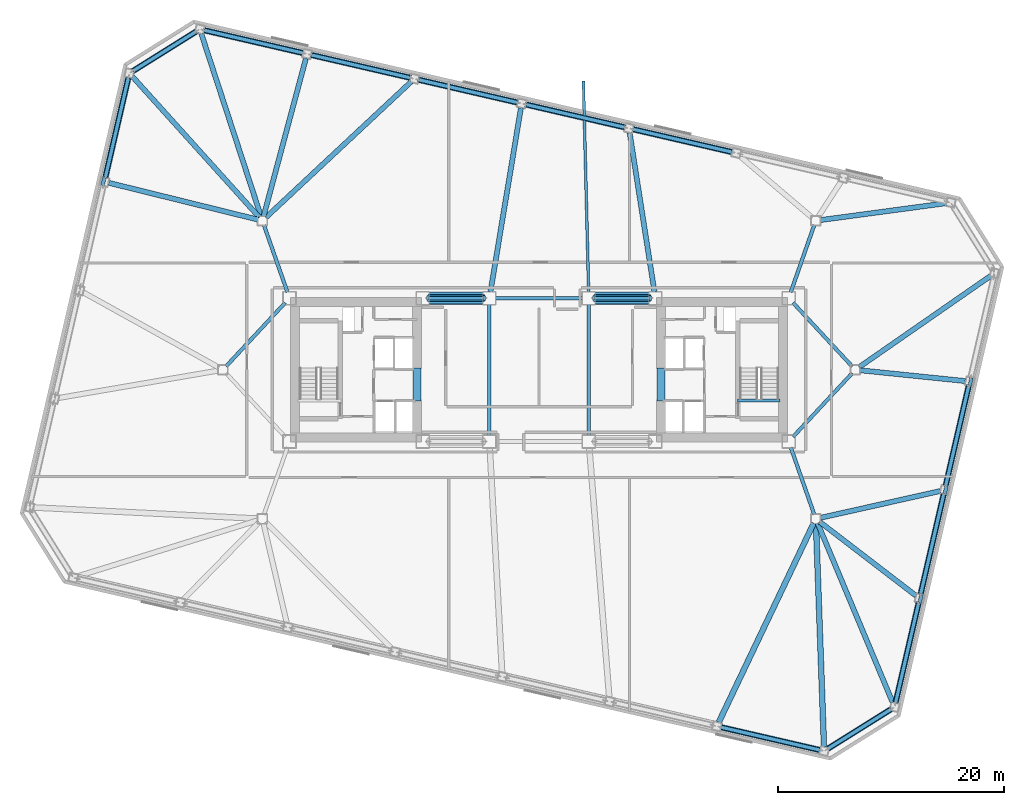
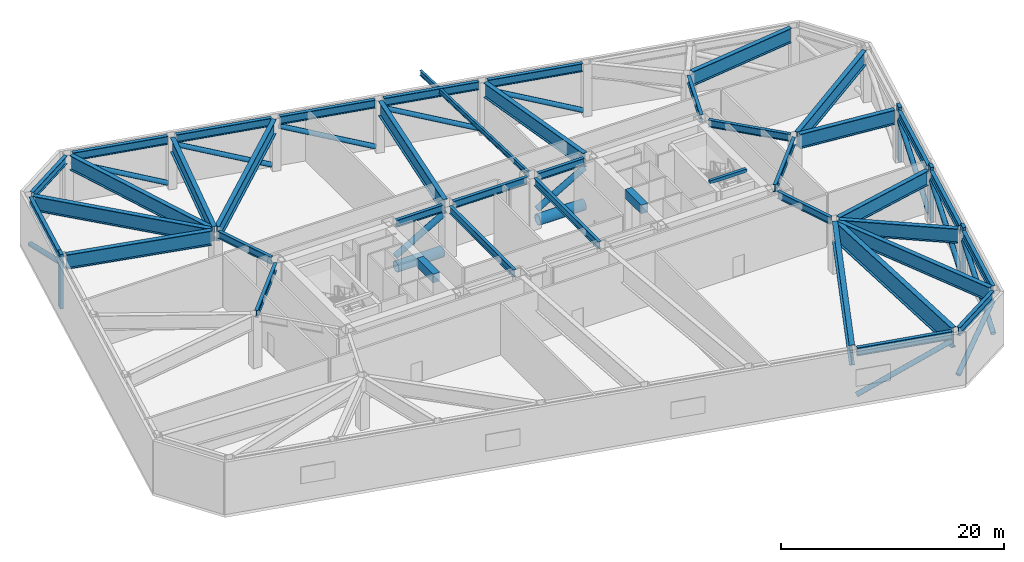
# One storey, part 2 of 15: 42 beams, 20 members.
"""IFC4 building model written with IfcOpenShell, lengths in metres."""

from ifc_helpers import new_model, si_unit, direction, frame, origin, origin_2d, place, context, subcontext, project, spatial, rectangle, hollow_circle, i_section, extrude, material, material_profile, profile_set, type_object, element, save


model = new_model("IFC4")

# Units and contexts
model_context = context("Model", 3, precision=1e-05, world=origin(), true_north=direction((0.0, 1.0)))
body_context = subcontext(model_context, "Body", "Model", "MODEL_VIEW")
ifc_project = project(units=[si_unit("LENGTHUNIT", "METRE"), si_unit("AREAUNIT", "SQUARE_METRE"), si_unit("VOLUMEUNIT", "CUBIC_METRE"), si_unit("PLANEANGLEUNIT", "RADIAN"), si_unit("MASSUNIT", "GRAM", prefix="KILO")], contexts=[model_context])

# Site, building, storey
site_placement = place(None, origin())
site = spatial("IfcSite", under=ifc_project, at=site_placement, CompositionType="ELEMENT")
building_placement = place(site_placement, origin())
building = spatial("IfcBuilding", under=site, at=building_placement, Name="Tavrogorsk Clinical Tower", CompositionType="ELEMENT")
storey_placement = place(building_placement, frame((0.0, 0.0, 33.39990234375)))
storey = spatial("IfcBuildingStorey", under=building, at=storey_placement, Name="L06", CompositionType="ELEMENT", Elevation=33.39990234375)

# Beams
ifc_material_1 = material(Name="Concrete B80", Category="concrete")
ifc_material_profile_1 = material_profile(ifc_material_1, rectangle(XDim=0.699951171875, YDim=0.949951171875, at=origin_2d()), Name="RC-CB-700x950")
ifc_profile_set_1 = profile_set([ifc_material_profile_1], Name="Concrete B80")
beam_type_1 = type_object("IfcBeamType", Name="CouplingBeam_RC700x950", PredefinedType="LINTEL", material=ifc_profile_set_1)
for number, where, z_axis, x_axis, name in (
    (1, (-10.800048828125, -2.75, 5.26513671875), (0.0, 1.0, 0.0), (-1.0, 0.0, 0.0), "L06 Core West Coupling Beam"),
    (2, (10.800048828125, -2.75, 5.26513671875), (0.0, 1.0, 0.0), (-1.0, 0.0, 0.0), "L06 Core East Coupling Beam"),
):
    element("IfcBeam", number, at=place(storey_placement, frame(where, z_axis=z_axis, x_axis=x_axis)), inside=storey, type_object=beam_type_1, Name=name, PredefinedType="LINTEL", context=body_context, shape_type="SweptSolid", body=[
        extrude(rectangle(XDim=0.699951171875, YDim=0.949951171875, at=origin_2d()), origin(), (0.0, 0.0, 1.0), 2.89990234375),
    ])

# Members
ifc_material_2 = material(Name="Structural steel S440", Category="steel")
ifc_material_profile_2 = material_profile(ifc_material_2, hollow_circle(Radius=0.25390625, WallThickness=0.02001953125, at=origin_2d()), Name="CHS-508x20")
ifc_profile_set_2 = profile_set([ifc_material_profile_2], Name="Structural steel S440")
member_type_1 = type_object("IfcMemberType", Name="ExoBrace_CHS508", PredefinedType="BRACE", material=ifc_profile_set_2)
member_1_placement = place(storey_placement, frame((16.102783203125, -31.647216796875, 0.519287109375), z_axis=(0.886730449481, -0.204715501483, 0.414488447868), x_axis=(0.224948599198, 0.974370631597, 0.0)))
element("IfcMember", 3, at=member_1_placement, inside=storey, type_object=member_type_1, Name="L06 Exoskeleton Belt Diagonal S7-S8", PredefinedType="BRACE", context=body_context, shape_type="SweptSolid", body=[
    extrude(hollow_circle(Radius=0.25390625, WallThickness=0.02001953125, at=origin_2d()), origin(), (0.0, 0.0, 1.0), 9.89599609375),
])
member_2_placement = place(storey_placement, frame((25.535888671875, -33.571533203125, 0.56103515625), z_axis=(0.725993006991, 0.453659268925, 0.516843710921), x_axis=(-0.529926395884, 0.848043639765, 0.0)))
element("IfcMember", 4, at=member_2_placement, inside=storey, type_object=member_type_1, Name="L06 Exoskeleton Belt Diagonal S8-E1", PredefinedType="BRACE", context=body_context, shape_type="SweptSolid", body=[
    extrude(hollow_circle(Radius=0.25390625, WallThickness=0.02001953125, at=origin_2d()), origin(), (0.0, 0.0, 1.0), 7.774169921875),
])
for number, where, z_axis, x_axis, name in (
    (5, (31.559814453125, -29.497314453125, 0.517578125), (0.205127102983, 0.888444554848, 0.410596084471), (-0.974366815739, 0.224965127047, 0.0), "L06 Exoskeleton Belt Diagonal E1-E2"),
    (6, (33.77783203125, -19.889892578125, 0.517578125), (0.205127102983, 0.888444554848, 0.410596084471), (-0.974366815739, 0.224965127047, 0.0), "L06 Exoskeleton Belt Diagonal E2-E3"),
    (7, (35.995849609375, -10.28271484375, 0.517578125), (0.205127102983, 0.888444554848, 0.410596084471), (-0.974366815739, 0.224965127047, 0.0), "L06 Exoskeleton Belt Diagonal E3-E4"),
):
    element("IfcMember", number, at=place(storey_placement, frame(where, z_axis=z_axis, x_axis=x_axis)), inside=storey, type_object=member_type_1, Name=name, PredefinedType="BRACE", context=body_context, shape_type="SweptSolid", body=[
        extrude(hollow_circle(Radius=0.25390625, WallThickness=0.02001953125, at=origin_2d()), origin(), (0.0, 0.0, 1.0), 9.99755859375),
    ])
member_3_placement = place(storey_placement, frame((17.092041015625, 19.275390625, 0.519287109375), z_axis=(-0.886730449481, 0.204715501483, 0.414488447868), x_axis=(-0.224948599198, -0.974370631597, 0.0)))
element("IfcMember", 8, at=member_3_placement, inside=storey, type_object=member_type_1, Name="L06 Exoskeleton Belt Diagonal N3-N4", PredefinedType="BRACE", context=body_context, shape_type="SweptSolid", body=[
    extrude(hollow_circle(Radius=0.25390625, WallThickness=0.02001953125, at=origin_2d()), origin(), (0.0, 0.0, 1.0), 9.89599609375),
])
member_4_placement = place(storey_placement, frame((7.593505859375, 21.46826171875, 0.519287109375), z_axis=(-0.886731243177, 0.204734659112, 0.414477287353), x_axis=(-0.224968393736, -0.974366061509, 0.0)))
element("IfcMember", 9, at=member_4_placement, inside=storey, type_object=member_type_1, Name="L06 Exoskeleton Belt Diagonal N4-N5", PredefinedType="BRACE", context=body_context, shape_type="SweptSolid", body=[
    extrude(hollow_circle(Radius=0.25390625, WallThickness=0.02001953125, at=origin_2d()), origin(), (0.0, 0.0, 1.0), 9.896240234375),
])
for number, where, z_axis, x_axis, name in (
    (10, (-1.9052734375, 23.661376953125, 0.519287109375), (-0.886730449481, 0.204715501483, 0.414488447868), (-0.224948599198, -0.974370631597, 0.0), "L06 Exoskeleton Belt Diagonal N5-N6"),
    (11, (-11.404052734375, 25.854248046875, 0.519287109375), (-0.886730449481, 0.204715501483, 0.414488447868), (-0.224948599198, -0.974370631597, 0.0), "L06 Exoskeleton Belt Diagonal N6-N7"),
    (12, (-20.90283203125, 28.047119140625, 0.519287109375), (-0.886730449481, 0.204715501483, 0.414488447868), (-0.224948599198, -0.974370631597, 0.0), "L06 Exoskeleton Belt Diagonal N7-N8"),
):
    element("IfcMember", number, at=place(storey_placement, frame(where, z_axis=z_axis, x_axis=x_axis)), inside=storey, type_object=member_type_1, Name=name, PredefinedType="BRACE", context=body_context, shape_type="SweptSolid", body=[
        extrude(hollow_circle(Radius=0.25390625, WallThickness=0.02001953125, at=origin_2d()), origin(), (0.0, 0.0, 1.0), 9.89599609375),
    ])
member_5_placement = place(storey_placement, frame((-30.3359375, 29.971435546875, 0.56103515625), z_axis=(-0.726003349804, -0.453634327706, 0.516851074101), x_axis=(0.529900013319, -0.848060125159, 0.0)))
element("IfcMember", 13, at=member_5_placement, inside=storey, type_object=member_type_1, Name="L06 Exoskeleton Belt Diagonal N8-W1", PredefinedType="BRACE", context=body_context, shape_type="SweptSolid", body=[
    extrude(hollow_circle(Radius=0.25390625, WallThickness=0.02001953125, at=origin_2d()), origin(), (0.0, 0.0, 1.0), 7.774169921875),
])
member_6_placement = place(storey_placement, frame((-36.35986328125, 25.897216796875, 0.517578125), z_axis=(-0.205103710433, -0.888449004997, 0.410598141114), x_axis=(0.974372685922, -0.22493970065, 0.0)))
element("IfcMember", 14, at=member_6_placement, inside=storey, type_object=member_type_1, Name="L06 Exoskeleton Belt Diagonal W1-W2", PredefinedType="BRACE", context=body_context, shape_type="SweptSolid", body=[
    extrude(hollow_circle(Radius=0.25390625, WallThickness=0.02001953125, at=origin_2d()), origin(), (0.0, 0.0, 1.0), 9.99755859375),
])
ifc_material_3 = material(Name="Precast concrete B45 with limestone cladding", Category="masonry")
ifc_material_profile_3 = material_profile(ifc_material_3, rectangle(XDim=0.320068359375, YDim=0.719970703125, at=origin_2d()), Name="LIMESTONE-FIN-320x720")
ifc_profile_set_3 = profile_set([ifc_material_profile_3], Name="Precast concrete B45 with limestone cladding")
member_type_2 = type_object("IfcMemberType", Name="LimestonePleatFin_320x720", PredefinedType="USERDEFINED", material=ifc_profile_set_3)
for number, where, z_axis, x_axis, name in (
    (15, (33.772216796875, -20.2705078125, 0.0), (0.0, 0.0, 1.0), (0.974370064785, -0.224951054344, 0.0), "L06 E Pleated Stone Fin 1"),
    (16, (35.990234375, -10.6630859375, 0.0), (0.0, 0.0, 1.0), (0.974370064785, -0.224951054344, 0.0), "L06 E Pleated Stone Fin 2"),
    (17, (38.208251953125, -1.055908203125, 0.0), (0.0, 0.0, 1.0), (0.974370064785, -0.224951054344, 0.0), "L06 E Pleated Stone Fin 3"),
    (18, (-38.572265625, 16.67041015625, 0.0), (0.0, 0.0, 1.0), (0.974370064785, -0.224951054344, 0.0), "L06 W Pleated Stone Fin 1"),
):
    element("IfcMember", number, at=place(storey_placement, frame(where, z_axis=z_axis, x_axis=x_axis)), inside=storey, type_object=member_type_2, Name=name, ObjectType="FIN", PredefinedType="USERDEFINED", context=body_context, shape_type="SweptSolid", body=[
        extrude(rectangle(XDim=0.320068359375, YDim=0.719970703125, at=origin_2d()), origin(), (0.0, 0.0, 1.0), 6.0),
    ])
ifc_material_4 = material(Name="Structural steel S440", Category="steel")
ifc_material_profile_4 = material_profile(ifc_material_4, hollow_circle(Radius=0.550048828125, WallThickness=0.0400390625, at=origin_2d()), Name="CHS-1100x40")
ifc_profile_set_4 = profile_set([ifc_material_profile_4], Name="Structural steel S440")
member_type_3 = type_object("IfcMemberType", Name="OutriggerChord_CHS1100", PredefinedType="CHORD", material=ifc_profile_set_4)
for number, where, z_axis, x_axis, name in (
    (19, (-9.739990234375, 6.35009765625, 0.580078125), (1.0, 0.0, 0.0), (0.0, 1.0, 0.0), "L06 Outrigger Bottom Chord 02"),
    (20, (4.9599609375, 6.35009765625, 0.580078125), (1.0, 0.0, 0.0), (0.0, 1.0, 0.0), "L06 Outrigger Bottom Chord 04"),
):
    element("IfcMember", number, at=place(storey_placement, frame(where, z_axis=z_axis, x_axis=x_axis)), inside=storey, type_object=member_type_3, Name=name, PredefinedType="CHORD", context=body_context, shape_type="SweptSolid", body=[
        extrude(hollow_circle(Radius=0.550048828125, WallThickness=0.0400390625, at=origin_2d()), origin(), (0.0, 0.0, 1.0), 4.780029296875),
    ])
ifc_material_5 = material(Name="Structural steel S440", Category="steel")
ifc_material_profile_5 = material_profile(ifc_material_5, hollow_circle(Radius=0.304931640625, WallThickness=0.02490234375, at=origin_2d()), Name="CHS-610x25")
ifc_profile_set_5 = profile_set([ifc_material_profile_5], Name="Structural steel S440")
member_type_4 = type_object("IfcMemberType", Name="OutriggerDiag_CHS610", PredefinedType="BRACE", material=ifc_profile_set_5)
for number, where, z_axis, x_axis, name in (
    (21, (-9.815185546875, 6.35009765625, 1.76025390625), (0.865794908079, 0.0, 0.50039901793), (0.0, 1.0, 0.0), "L06 Outrigger Diagonal 02"),
    (22, (4.884765625, 6.35009765625, 1.76025390625), (0.865794908079, 0.0, 0.50039901793), (0.0, 1.0, 0.0), "L06 Outrigger Diagonal 04"),
):
    element("IfcMember", number, at=place(storey_placement, frame(where, z_axis=z_axis, x_axis=x_axis)), inside=storey, type_object=member_type_4, Name=name, PredefinedType="BRACE", context=body_context, shape_type="SweptSolid", body=[
        extrude(hollow_circle(Radius=0.304931640625, WallThickness=0.02490234375, at=origin_2d()), origin(), (0.0, 0.0, 1.0), 5.694580078125),
    ])

# Beams
ifc_material_6 = material(Name="Structural steel S390", Category="steel")
ifc_material_profile_6 = material_profile(ifc_material_6, i_section(OverallWidth=0.320068359375, OverallDepth=0.800048828125, WebThickness=0.02001953125, FlangeThickness=0.033935546875, at=origin_2d()), Name="B-800x320x20x34")
ifc_profile_set_6 = profile_set([ifc_material_profile_6], Name="Structural steel S390")
beam_type_2 = type_object("IfcBeamType", Name="PrimaryGirder_B800", PredefinedType="USERDEFINED", material=ifc_profile_set_6)
beam_1_placement = place(storey_placement, frame((-9.739990234375, 6.35009765625, 5.340087890625), z_axis=(1.0, 0.0, 0.0), x_axis=(0.0, 1.0, 0.0)))
element("IfcBeam", 23, at=beam_1_placement, inside=storey, type_object=beam_type_2, Name="L06 Primary Spine Girder MG-02", ObjectType="GIRDER", PredefinedType="USERDEFINED", context=body_context, shape_type="SweptSolid", body=[
    extrude(i_section(OverallWidth=0.320068359375, OverallDepth=0.800048828125, WebThickness=0.02001953125, FlangeThickness=0.033935546875, at=origin_2d()), origin(), (0.0, 0.0, 1.0), 4.780029296875),
])
beam_2_placement = place(storey_placement, frame((-3.840087890625, 6.35009765625, 5.340087890625), z_axis=(1.0, 0.0, 0.0), x_axis=(0.0, 1.0, 0.0)))
element("IfcBeam", 24, at=beam_2_placement, inside=storey, type_object=beam_type_2, Name="L06 Primary Spine Girder MG-04", ObjectType="GIRDER", PredefinedType="USERDEFINED", context=body_context, shape_type="SweptSolid", body=[
    extrude(i_section(OverallWidth=0.320068359375, OverallDepth=0.800048828125, WebThickness=0.02001953125, FlangeThickness=0.033935546875, at=origin_2d()), origin(), (0.0, 0.0, 1.0), 7.68017578125),
])
beam_3_placement = place(storey_placement, frame((4.9599609375, 6.35009765625, 5.340087890625), z_axis=(1.0, 0.0, 0.0), x_axis=(0.0, 1.0, 0.0)))
element("IfcBeam", 25, at=beam_3_placement, inside=storey, type_object=beam_type_2, Name="L06 Primary Spine Girder MG-06", ObjectType="GIRDER", PredefinedType="USERDEFINED", context=body_context, shape_type="SweptSolid", body=[
    extrude(i_section(OverallWidth=0.320068359375, OverallDepth=0.800048828125, WebThickness=0.02001953125, FlangeThickness=0.033935546875, at=origin_2d()), origin(), (0.0, 0.0, 1.0), 4.780029296875),
])
for number, where, z_axis, x_axis, name in (
    (26, (-4.39990234375, -5.7900390625, 5.340087890625), (0.0, 1.0, 0.0), (-1.0, 0.0, 0.0), "L06 Primary Spine Girder MG-07"),
    (27, (4.39990234375, -5.7900390625, 5.340087890625), (0.0, 1.0, 0.0), (-1.0, 0.0, 0.0), "L06 Primary Spine Girder MG-08"),
):
    element("IfcBeam", number, at=place(storey_placement, frame(where, z_axis=z_axis, x_axis=x_axis)), inside=storey, type_object=beam_type_2, Name=name, ObjectType="GIRDER", PredefinedType="USERDEFINED", context=body_context, shape_type="SweptSolid", body=[
        extrude(i_section(OverallWidth=0.320068359375, OverallDepth=0.800048828125, WebThickness=0.02001953125, FlangeThickness=0.033935546875, at=origin_2d()), origin(), (0.0, 0.0, 1.0), 11.580078125),
    ])
for number, where, z_axis, x_axis, name in (
    (28, (24.364501953125, -12.81298828125, 5.340087890625), (-0.330668611543, 0.943746930771, 0.0), (-0.943746930771, -0.330668611543, 0.0), "L06 Spine Link Girder OPG-2"),
    (29, (-24.364501953125, 12.81298828125, 5.340087890625), (0.330668611543, -0.943746930771, 0.0), (0.943746930771, 0.330668611543, 0.0), "L06 Spine Link Girder OPG-3"),
    (30, (24.364501953125, 12.81298828125, 5.340087890625), (-0.330668611543, -0.943746930771, 0.0), (0.943746930771, -0.330668611543, 0.0), "L06 Spine Link Girder OPG-4"),
):
    element("IfcBeam", number, at=place(storey_placement, frame(where, z_axis=z_axis, x_axis=x_axis)), inside=storey, type_object=beam_type_2, Name=name, ObjectType="GIRDER", PredefinedType="USERDEFINED", context=body_context, shape_type="SweptSolid", body=[
        extrude(i_section(OverallWidth=0.320068359375, OverallDepth=0.800048828125, WebThickness=0.02001953125, FlangeThickness=0.033935546875, at=origin_2d()), origin(), (0.0, 0.0, 1.0), 6.288330078125),
    ])
for number, where, z_axis, x_axis, name in (
    (31, (-27.720947265625, 0.30029296875, 5.340087890625), (0.680671250221, 0.732589004233, 0.0), (-0.732589004233, 0.680671250221, 0.0), "L06 Spine Link Girder OPG-6"),
    (32, (27.720947265625, -0.30029296875, 5.340087890625), (-0.680671250221, -0.732589004233, 0.0), (0.732589004233, -0.680671250221, 0.0), "L06 Spine Link Girder OPG-7"),
    (33, (27.720947265625, 0.30029296875, 5.340087890625), (-0.680671250221, 0.732589004233, 0.0), (-0.732589004233, -0.680671250221, 0.0), "L06 Spine Link Girder OPG-8"),
):
    element("IfcBeam", number, at=place(storey_placement, frame(where, z_axis=z_axis, x_axis=x_axis)), inside=storey, type_object=beam_type_2, Name=name, ObjectType="GIRDER", PredefinedType="USERDEFINED", context=body_context, shape_type="SweptSolid", body=[
        extrude(i_section(OverallWidth=0.320068359375, OverallDepth=0.800048828125, WebThickness=0.02001953125, FlangeThickness=0.033935546875, at=origin_2d()), origin(), (0.0, 0.0, 1.0), 7.697998046875),
    ])
ifc_material_7 = material(Name="Structural steel S390", Category="steel")
ifc_material_profile_7 = material_profile(ifc_material_7, i_section(OverallWidth=0.239990234375, OverallDepth=0.550048828125, WebThickness=0.013916015625, FlangeThickness=0.02197265625, at=origin_2d()), Name="B-550x240x14x22")
ifc_profile_set_7 = profile_set([ifc_material_profile_7], Name="Structural steel S390")
beam_type_3 = type_object("IfcBeamType", Name="SpandrelBeam_B550", PredefinedType="SPANDREL", material=ifc_profile_set_7)
beam_4_placement = place(storey_placement, frame((4.385986328125, 6.909912109375, 5.445068359375), z_axis=(-0.024890288203, 0.999690188785, 0.0), x_axis=(-0.999690188785, -0.024890288203, 0.0)))
element("IfcBeam", 34, at=beam_4_placement, inside=storey, type_object=beam_type_3, Name="L07 Spiral Terrace Cantilever Beam 2", PredefinedType="SPANDREL", context=body_context, shape_type="SweptSolid", body=[
    extrude(i_section(OverallWidth=0.239990234375, OverallDepth=0.550048828125, WebThickness=0.013916015625, FlangeThickness=0.02197265625, at=origin_2d()), origin(), (0.0, 0.0, 1.0), 18.67578125),
])
ifc_material_8 = material(Name="Concrete B60", Category="concrete")
ifc_material_profile_8 = material_profile(ifc_material_8, rectangle(XDim=0.300048828125, YDim=0.35009765625, at=origin_2d()), Name="RC-SHB-300x350")
ifc_profile_set_8 = profile_set([ifc_material_profile_8], Name="Concrete B60")
beam_type_4 = type_object("IfcBeamType", Name="StairHeaderBeam_RC300x350", PredefinedType="BEAM", material=ifc_profile_set_8)
beam_5_placement = place(storey_placement, frame((17.550048828125, -2.719970703125, 5.8251953125), z_axis=(1.0, 0.0, 0.0), x_axis=(0.0, 1.0, 0.0)))
element("IfcBeam", 35, at=beam_5_placement, inside=storey, type_object=beam_type_4, Name="L07 ST-E Landing Header Beam", PredefinedType="BEAM", context=body_context, shape_type="SweptSolid", body=[
    extrude(rectangle(XDim=0.300048828125, YDim=0.35009765625, at=origin_2d()), origin(), (0.0, 0.0, 1.0), 3.800048828125),
])
ifc_material_9 = material(Name="Structural steel S440", Category="steel")
ifc_material_profile_9 = material_profile(ifc_material_9, i_section(OverallWidth=0.449951171875, OverallDepth=1.60009765625, WebThickness=0.031982421875, FlangeThickness=0.050048828125, at=origin_2d()), Name="DK-1600x450x32x50")
ifc_profile_set_9 = profile_set([ifc_material_profile_9], Name="Structural steel S440")
beam_type_5 = type_object("IfcBeamType", Name="TransferGirder_DK1600", PredefinedType="USERDEFINED", material=ifc_profile_set_9)
beam_6_placement = place(storey_placement, frame((24.90625, 13.254638671875, 4.940185546875), z_axis=(0.991091561022, 0.133182272357, 0.0), x_axis=(-0.133182272357, 0.991091561022, 0.0)))
element("IfcBeam", 36, at=beam_6_placement, inside=storey, type_object=beam_type_5, Name="L06 Radial Floor Beam N1", ObjectType="GIRDER", PredefinedType="USERDEFINED", context=body_context, shape_type="SweptSolid", body=[
    extrude(i_section(OverallWidth=0.449951171875, OverallDepth=1.60009765625, WebThickness=0.031982421875, FlangeThickness=0.050048828125, at=origin_2d()), origin(), (0.0, 0.0, 1.0), 11.24072265625),
])
beam_7_placement = place(storey_placement, frame((10.213623046875, 6.9033203125, 4.940185546875), z_axis=(-0.154089917001, 0.988056829073, 0.0), x_axis=(-0.988056829073, -0.154089917001, 0.0)))
element("IfcBeam", 37, at=beam_7_placement, inside=storey, type_object=beam_type_5, Name="L06 Radial Floor Beam N4", ObjectType="GIRDER", PredefinedType="USERDEFINED", context=body_context, shape_type="SweptSolid", body=[
    extrude(i_section(OverallWidth=0.449951171875, OverallDepth=1.60009765625, WebThickness=0.031982421875, FlangeThickness=0.050048828125, at=origin_2d()), origin(), (0.0, 0.0, 1.0), 14.24853515625),
])
beam_8_placement = place(storey_placement, frame((-4.308349609375, 6.90234375, 4.940185546875), z_axis=(0.163563683006, 0.986532777763, 0.0), x_axis=(-0.986532777763, 0.163563683006, 0.0)))
element("IfcBeam", 38, at=beam_8_placement, inside=storey, type_object=beam_type_5, Name="L06 Radial Floor Beam N5", ObjectType="GIRDER", PredefinedType="USERDEFINED", context=body_context, shape_type="SweptSolid", body=[
    extrude(i_section(OverallWidth=0.449951171875, OverallDepth=1.60009765625, WebThickness=0.031982421875, FlangeThickness=0.050048828125, at=origin_2d()), origin(), (0.0, 0.0, 1.0), 16.4951171875),
])
beam_9_placement = place(storey_placement, frame((-24.200439453125, 13.47998046875, 4.940185546875), z_axis=(0.730781163302, 0.682611816015, 0.0), x_axis=(-0.682611816015, 0.730781163302, 0.0)))
element("IfcBeam", 39, at=beam_9_placement, inside=storey, type_object=beam_type_5, Name="L06 Radial Floor Beam N6", ObjectType="GIRDER", PredefinedType="USERDEFINED", context=body_context, shape_type="SweptSolid", body=[
    extrude(i_section(OverallWidth=0.449951171875, OverallDepth=1.60009765625, WebThickness=0.031982421875, FlangeThickness=0.050048828125, at=origin_2d()), origin(), (0.0, 0.0, 1.0), 17.597412109375),
])
beam_10_placement = place(storey_placement, frame((-24.393798828125, 13.595947265625, 4.940185546875), z_axis=(0.25900262632, 0.965876617151, 0.0), x_axis=(-0.965876617151, 0.25900262632, 0.0)))
element("IfcBeam", 40, at=beam_10_placement, inside=storey, type_object=beam_type_5, Name="L06 Radial Floor Beam N7", ObjectType="GIRDER", PredefinedType="USERDEFINED", context=body_context, shape_type="SweptSolid", body=[
    extrude(i_section(OverallWidth=0.449951171875, OverallDepth=1.60009765625, WebThickness=0.031982421875, FlangeThickness=0.050048828125, at=origin_2d()), origin(), (0.0, 0.0, 1.0), 14.46728515625),
])
beam_11_placement = place(storey_placement, frame((-24.62744140625, 13.58984375, 4.940185546875), z_axis=(-0.310546210819, 0.950558283824, 0.0), x_axis=(-0.950558283824, -0.310546210819, 0.0)))
element("IfcBeam", 41, at=beam_11_placement, inside=storey, type_object=beam_type_5, Name="L06 Radial Floor Beam N8", ObjectType="GIRDER", PredefinedType="USERDEFINED", context=body_context, shape_type="SweptSolid", body=[
    extrude(i_section(OverallWidth=0.449951171875, OverallDepth=1.60009765625, WebThickness=0.031982421875, FlangeThickness=0.050048828125, at=origin_2d()), origin(), (0.0, 0.0, 1.0), 17.0205078125),
])
beam_12_placement = place(storey_placement, frame((24.658447265625, -13.578125, 4.940185546875), z_axis=(0.386243430459, -0.922396884441, 0.0), x_axis=(0.922396884441, 0.386243430459, 0.0)))
element("IfcBeam", 42, at=beam_12_placement, inside=storey, type_object=beam_type_5, Name="L06 Radial Floor Beam E1", ObjectType="GIRDER", PredefinedType="USERDEFINED", context=body_context, shape_type="SweptSolid", body=[
    extrude(i_section(OverallWidth=0.449951171875, OverallDepth=1.60009765625, WebThickness=0.031982421875, FlangeThickness=0.050048828125, at=origin_2d()), origin(), (0.0, 0.0, 1.0), 17.243408203125),
])
beam_13_placement = place(storey_placement, frame((24.825439453125, -13.449462890625, 4.940185546875), z_axis=(0.7934457884, -0.608640929342, 0.0), x_axis=(0.608640929342, 0.7934457884, 0.0)))
element("IfcBeam", 43, at=beam_13_placement, inside=storey, type_object=beam_type_5, Name="L06 Radial Floor Beam E2", ObjectType="GIRDER", PredefinedType="USERDEFINED", context=body_context, shape_type="SweptSolid", body=[
    extrude(i_section(OverallWidth=0.449951171875, OverallDepth=1.60009765625, WebThickness=0.031982421875, FlangeThickness=0.050048828125, at=origin_2d()), origin(), (0.0, 0.0, 1.0), 10.769287109375),
])
beam_14_placement = place(storey_placement, frame((24.900146484375, -13.1103515625, 4.940185546875), z_axis=(0.975844140255, 0.218467878484, 0.0), x_axis=(-0.218467878484, 0.975844140255, 0.0)))
element("IfcBeam", 44, at=beam_14_placement, inside=storey, type_object=beam_type_5, Name="L06 Radial Floor Beam E3", ObjectType="GIRDER", PredefinedType="USERDEFINED", context=body_context, shape_type="SweptSolid", body=[
    extrude(i_section(OverallWidth=0.449951171875, OverallDepth=1.60009765625, WebThickness=0.031982421875, FlangeThickness=0.050048828125, at=origin_2d()), origin(), (0.0, 0.0, 1.0), 10.876708984375),
])
beam_15_placement = place(storey_placement, frame((28.407958984375, -0.041748046875, 4.940185546875), z_axis=(0.994791610226, -0.101929643501, 0.0), x_axis=(0.101929643501, 0.994791610226, 0.0)))
element("IfcBeam", 45, at=beam_15_placement, inside=storey, type_object=beam_type_5, Name="L06 Radial Floor Beam E4", ObjectType="GIRDER", PredefinedType="USERDEFINED", context=body_context, shape_type="SweptSolid", body=[
    extrude(i_section(OverallWidth=0.449951171875, OverallDepth=1.60009765625, WebThickness=0.031982421875, FlangeThickness=0.050048828125, at=origin_2d()), origin(), (0.0, 0.0, 1.0), 9.365234375),
])
beam_16_placement = place(storey_placement, frame((28.3369140625, 0.233642578125, 4.940185546875), z_axis=(0.82154295725, 0.570146620961, 0.0), x_axis=(-0.570146620961, 0.82154295725, 0.0)))
element("IfcBeam", 46, at=beam_16_placement, inside=storey, type_object=beam_type_5, Name="L06 Radial Floor Beam E5", ObjectType="GIRDER", PredefinedType="USERDEFINED", context=body_context, shape_type="SweptSolid", body=[
    extrude(i_section(OverallWidth=0.449951171875, OverallDepth=1.60009765625, WebThickness=0.031982421875, FlangeThickness=0.050048828125, at=origin_2d()), origin(), (0.0, 0.0, 1.0), 14.212646484375),
])
beam_17_placement = place(storey_placement, frame((-24.774658203125, 13.50439453125, 4.940185546875), z_axis=(-0.669660294237, 0.742667550337, 0.0), x_axis=(-0.742667550337, -0.669660294237, 0.0)))
element("IfcBeam", 47, at=beam_17_placement, inside=storey, type_object=beam_type_5, Name="L06 Radial Floor Beam W1", ObjectType="GIRDER", PredefinedType="USERDEFINED", context=body_context, shape_type="SweptSolid", body=[
    extrude(i_section(OverallWidth=0.449951171875, OverallDepth=1.60009765625, WebThickness=0.031982421875, FlangeThickness=0.050048828125, at=origin_2d()), origin(), (0.0, 0.0, 1.0), 16.76708984375),
])
beam_18_placement = place(storey_placement, frame((-24.89794921875, 13.298095703125, 4.940185546875), z_axis=(-0.970889910259, 0.23952616174, 0.0), x_axis=(-0.23952616174, -0.970889910259, 0.0)))
element("IfcBeam", 48, at=beam_18_placement, inside=storey, type_object=beam_type_5, Name="L06 Radial Floor Beam W2", ObjectType="GIRDER", PredefinedType="USERDEFINED", context=body_context, shape_type="SweptSolid", body=[
    extrude(i_section(OverallWidth=0.449951171875, OverallDepth=1.60009765625, WebThickness=0.031982421875, FlangeThickness=0.050048828125, at=origin_2d()), origin(), (0.0, 0.0, 1.0), 13.595947265625),
])
ifc_material_10 = material(Name="Structural steel S440", Category="steel")
ifc_material_profile_10 = material_profile(ifc_material_10, i_section(OverallWidth=0.5, OverallDepth=2.199951171875, WebThickness=0.035888671875, FlangeThickness=0.054931640625, at=origin_2d()), Name="DK-2200x500x36x55")
ifc_profile_set_10 = profile_set([ifc_material_profile_10], Name="Structural steel S440")
beam_type_6 = type_object("IfcBeamType", Name="TransferGirder_DK2200", PredefinedType="USERDEFINED", material=ifc_profile_set_10)
beam_19_placement = place(storey_placement, frame((24.323486328125, -13.570068359375, 4.64013671875), z_axis=(-0.430503237889, -0.90258903282, 0.0), x_axis=(0.90258903282, -0.430503237889, 0.0)))
element("IfcBeam", 49, at=beam_19_placement, inside=storey, type_object=beam_type_6, Name="L06 Radial Floor Beam S7", ObjectType="GIRDER", PredefinedType="USERDEFINED", context=body_context, shape_type="SweptSolid", body=[
    extrude(i_section(OverallWidth=0.5, OverallDepth=2.199951171875, WebThickness=0.035888671875, FlangeThickness=0.054931640625, at=origin_2d()), origin(), (0.0, 0.0, 1.0), 19.527587890625),
])
beam_20_placement = place(storey_placement, frame((24.5146484375, -13.609619140625, 4.64013671875), z_axis=(0.035968399295, -0.999352927775, 0.0), x_axis=(0.999352927775, 0.035968399295, 0.0)))
element("IfcBeam", 50, at=beam_20_placement, inside=storey, type_object=beam_type_6, Name="L06 Radial Floor Beam S8", ObjectType="GIRDER", PredefinedType="USERDEFINED", context=body_context, shape_type="SweptSolid", body=[
    extrude(i_section(OverallWidth=0.5, OverallDepth=2.199951171875, WebThickness=0.035888671875, FlangeThickness=0.054931640625, at=origin_2d()), origin(), (0.0, 0.0, 1.0), 19.751953125),
])
ifc_material_11 = material(Name="Structural steel S440", Category="steel")
ifc_material_profile_11 = material_profile(ifc_material_11, i_section(OverallWidth=0.360107421875, OverallDepth=0.89990234375, WebThickness=0.02392578125, FlangeThickness=0.0400390625, at=origin_2d()), Name="DK-900x360x24x40")
ifc_profile_set_11 = profile_set([ifc_material_profile_11], Name="Structural steel S440")
beam_type_7 = type_object("IfcBeamType", Name="TransferGirder_DK900", PredefinedType="USERDEFINED", material=ifc_profile_set_11)
beam_21_placement = place(storey_placement, frame((16.138427734375, -31.655517578125, 5.2900390625), z_axis=(0.974372766602, -0.224939351168, 0.0), x_axis=(0.224939351168, 0.974372766602, 0.0)))
element("IfcBeam", 51, at=beam_21_placement, inside=storey, type_object=beam_type_7, Name="L06 Perimeter Spandrel S7-S8", ObjectType="GIRDER", PredefinedType="USERDEFINED", context=body_context, shape_type="SweptSolid", body=[
    extrude(i_section(OverallWidth=0.360107421875, OverallDepth=0.89990234375, WebThickness=0.02392578125, FlangeThickness=0.0400390625, at=origin_2d()), origin(), (0.0, 0.0, 1.0), 8.9326171875),
])
beam_22_placement = place(storey_placement, frame((25.585693359375, -33.540283203125, 5.2900390625), z_axis=(0.848061235793, 0.529898235839, 0.0), x_axis=(-0.529898235839, 0.848061235793, 0.0)))
element("IfcBeam", 52, at=beam_22_placement, inside=storey, type_object=beam_type_7, Name="L06 Perimeter Spandrel S8-E1", ObjectType="GIRDER", PredefinedType="USERDEFINED", context=body_context, shape_type="SweptSolid", body=[
    extrude(i_section(OverallWidth=0.360107421875, OverallDepth=0.89990234375, WebThickness=0.02392578125, FlangeThickness=0.0400390625, at=origin_2d()), origin(), (0.0, 0.0, 1.0), 6.537841796875),
])
beam_23_placement = place(storey_placement, frame((31.56787109375, -29.462158203125, 5.2900390625), z_axis=(0.224971881043, 0.974365256328, 0.0), x_axis=(-0.974365256328, 0.224971881043, 0.0)))
element("IfcBeam", 53, at=beam_23_placement, inside=storey, type_object=beam_type_7, Name="L06 Perimeter Spandrel E1-E2", ObjectType="GIRDER", PredefinedType="USERDEFINED", context=body_context, shape_type="SweptSolid", body=[
    extrude(i_section(OverallWidth=0.360107421875, OverallDepth=0.89990234375, WebThickness=0.02392578125, FlangeThickness=0.0400390625, at=origin_2d()), origin(), (0.0, 0.0, 1.0), 9.044189453125),
])
for number, where, z_axis, x_axis, name in (
    (54, (33.785888671875, -19.85498046875, 5.2900390625), (0.224946252597, 0.974371173343, 0.0), (-0.974371173343, 0.224946252597, 0.0), "L06 Perimeter Spandrel E2-E3"),
    (55, (36.00390625, -10.24755859375, 5.2900390625), (0.224946252597, 0.974371173343, 0.0), (-0.974371173343, 0.224946252597, 0.0), "L06 Perimeter Spandrel E3-E4"),
):
    element("IfcBeam", number, at=place(storey_placement, frame(where, z_axis=z_axis, x_axis=x_axis)), inside=storey, type_object=beam_type_7, Name=name, ObjectType="GIRDER", PredefinedType="USERDEFINED", context=body_context, shape_type="SweptSolid", body=[
        extrude(i_section(OverallWidth=0.360107421875, OverallDepth=0.89990234375, WebThickness=0.02392578125, FlangeThickness=0.0400390625, at=origin_2d()), origin(), (0.0, 0.0, 1.0), 9.0439453125),
    ])
for number, where, z_axis, x_axis, name in (
    (56, (17.056396484375, 19.28369140625, 5.2900390625), (-0.974372766602, 0.224939351168, 0.0), (-0.224939351168, -0.974372766602, 0.0), "L06 Perimeter Spandrel N3-N4"),
    (57, (7.5576171875, 21.4765625, 5.2900390625), (-0.974366775889, 0.224965299645, 0.0), (-0.224965299645, -0.974366775889, 0.0), "L06 Perimeter Spandrel N4-N5"),
    (58, (-1.941162109375, 23.669677734375, 5.2900390625), (-0.974372766602, 0.224939351168, 0.0), (-0.224939351168, -0.974372766602, 0.0), "L06 Perimeter Spandrel N5-N6"),
    (59, (-11.43994140625, 25.862548828125, 5.2900390625), (-0.974372766602, 0.224939351168, 0.0), (-0.224939351168, -0.974372766602, 0.0), "L06 Perimeter Spandrel N6-N7"),
    (60, (-20.9384765625, 28.055419921875, 5.2900390625), (-0.974366775889, 0.224965299645, 0.0), (-0.224965299645, -0.974366775889, 0.0), "L06 Perimeter Spandrel N7-N8"),
):
    element("IfcBeam", number, at=place(storey_placement, frame(where, z_axis=z_axis, x_axis=x_axis)), inside=storey, type_object=beam_type_7, Name=name, ObjectType="GIRDER", PredefinedType="USERDEFINED", context=body_context, shape_type="SweptSolid", body=[
        extrude(i_section(OverallWidth=0.360107421875, OverallDepth=0.89990234375, WebThickness=0.02392578125, FlangeThickness=0.0400390625, at=origin_2d()), origin(), (0.0, 0.0, 1.0), 8.9326171875),
    ])
beam_24_placement = place(storey_placement, frame((-30.3857421875, 29.9404296875, 5.2900390625), z_axis=(-0.848044454239, -0.529925092475, 0.0), x_axis=(0.529925092475, -0.848044454239, 0.0)))
element("IfcBeam", 61, at=beam_24_placement, inside=storey, type_object=beam_type_7, Name="L06 Perimeter Spandrel N8-W1", ObjectType="GIRDER", PredefinedType="USERDEFINED", context=body_context, shape_type="SweptSolid", body=[
    extrude(i_section(OverallWidth=0.360107421875, OverallDepth=0.89990234375, WebThickness=0.02392578125, FlangeThickness=0.0400390625, at=origin_2d()), origin(), (0.0, 0.0, 1.0), 6.537841796875),
])
beam_25_placement = place(storey_placement, frame((-36.367919921875, 25.862060546875, 5.2900390625), z_axis=(-0.224952169462, -0.974369807339, 0.0), x_axis=(0.974369807339, -0.224952169462, 0.0)))
element("IfcBeam", 62, at=beam_25_placement, inside=storey, type_object=beam_type_7, Name="L06 Perimeter Spandrel W1-W2", ObjectType="GIRDER", PredefinedType="USERDEFINED", context=body_context, shape_type="SweptSolid", body=[
    extrude(i_section(OverallWidth=0.360107421875, OverallDepth=0.89990234375, WebThickness=0.02392578125, FlangeThickness=0.0400390625, at=origin_2d()), origin(), (0.0, 0.0, 1.0), 9.043701171875),
])

save(model, "model.ifc")
